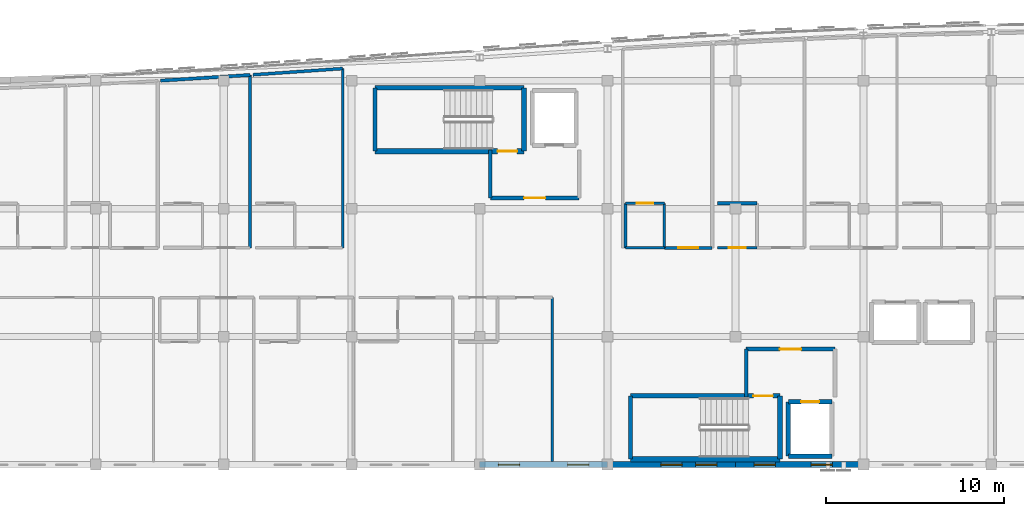
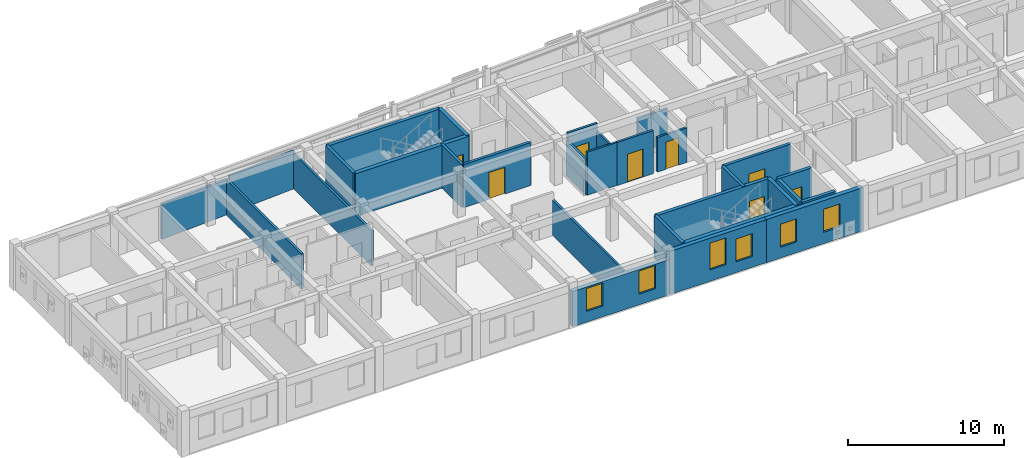
# One storey, part 32 of 41: 30 walls, 8 doors, 6 windows, 14 openings.
"""IFC4 building model written with IfcOpenShell, lengths in metres."""

from ifc_helpers import new_model, si_unit, direction, frame, frame_2d, origin, place, context, subcontext, project, spatial, rectangle, extrude, material, layer, layer_set, type_object, element, fill, save


model = new_model("IFC4")

# Units and contexts
model_context = context("Model", 3, precision=1e-05, world=origin(), true_north=direction((0.0, 1.0)))
body_context = subcontext(model_context, "Body", "Model", "MODEL_VIEW")
ifc_project = project(units=[si_unit("LENGTHUNIT", "METRE"), si_unit("AREAUNIT", "SQUARE_METRE"), si_unit("VOLUMEUNIT", "CUBIC_METRE"), si_unit("PLANEANGLEUNIT", "RADIAN"), si_unit("MASSUNIT", "GRAM", prefix="KILO")], contexts=[model_context])

# Site, building, storey
site_placement = place(None, origin())
site = spatial("IfcSite", under=ifc_project, at=site_placement, CompositionType="ELEMENT")
building_placement = place(site_placement, origin())
building = spatial("IfcBuilding", under=site, at=building_placement, Name="Carrowvane Square Congress Hotel", CompositionType="ELEMENT")
storey_placement = place(building_placement, frame((0.0, 0.0, 37.199951171875)))
storey = spatial("IfcBuildingStorey", under=building, at=storey_placement, Name="L09", CompositionType="ELEMENT", Elevation=37.199951171875)

# Wall, openings, windows
ifc_material_1 = material(Name="Glazed terracotta rainscreen", Category="masonry")
ifc_layer_1 = layer(ifc_material_1, 0.330078125)
ifc_layer_set_1 = layer_set([ifc_layer_1], Name="Glazed terracotta rainscreen")
wall_type_1 = type_object("IfcWallType", Name="WL-EXT-TC330", PredefinedType="STANDARD", material=ifc_layer_set_1)
wall_1_placement = place(storey_placement, frame((83.60009765625, 91.800048828125, 0.0), z_axis=(0.0, 0.0, 1.0), x_axis=(-1.0, 0.0, 0.0)))
wall_1 = element("IfcWall", 1, at=wall_1_placement, inside=storey, type_object=wall_type_1, Name="L09 exterior facade wall 573", PredefinedType="STANDARD", context=body_context, shape_type="SweptSolid", body=[
    extrude(rectangle(XDim=7.2001953125, YDim=0.330078125, at=frame_2d((3.60009765625, 0.0))), origin(), (0.0, 0.0, 1.0), 3.380126953125),
])
opening_1_placement = place(wall_1_placement, frame((1.75, 0.0, 0.89990234375)))
opening_1 = element("IfcOpeningElement", 2, at=opening_1_placement, cuts=wall_1, Name="Opening W-01", PredefinedType="OPENING", context=body_context, shape_type="SweptSolid", body=[
    extrude(rectangle(XDim=1.199951171875, YDim=1.800048828125, at=frame_2d((0.60009765625, 0.89990234375))), frame((0.0, 0.175048828125, 0.0), z_axis=(0.0, -1.0, 0.0), x_axis=(1.0, 0.0, 0.0)), (0.0, 0.0, 1.0), 0.35009765625),
])
opening_2_placement = place(wall_1_placement, frame((4.949951171875, 0.0, 0.85009765625)))
opening_2 = element("IfcOpeningElement", 3, at=opening_2_placement, cuts=wall_1, Name="Opening W-01", PredefinedType="OPENING", context=body_context, shape_type="SweptSolid", body=[
    extrude(rectangle(XDim=1.199951171875, YDim=1.800048828125, at=frame_2d((0.60009765625, 0.89990234375))), frame((0.0, 0.175048828125, 0.0), z_axis=(0.0, -1.0, 0.0), x_axis=(1.0, 0.0, 0.0)), (0.0, 0.0, 1.0), 0.35009765625),
])
ifc_material_2 = material(Name="Double-glazed low-E glass", Category="glass")
window_type_1 = type_object("IfcWindowType", Name="WIN-01", PartitioningType="SINGLE_PANEL", PredefinedType="WINDOW", material=ifc_material_2)
window_1_placement = place(opening_1_placement, origin())
window_1 = element("IfcWindow", 4, at=window_1_placement, inside=storey, type_object=window_type_1, Name="L09 facade window 434", OverallHeight=1.800048828125, OverallWidth=1.199951171875, PartitioningType="SINGLE_PANEL", PredefinedType="WINDOW", context=body_context, shape_type="SweptSolid", body=[
    extrude(rectangle(XDim=1.199951171875, YDim=1.800048828125, at=frame_2d((0.60009765625, 0.89990234375))), frame((0.0, 0.030029296875, 0.0), z_axis=(0.0, -1.0, 0.0), x_axis=(1.0, 0.0, 0.0)), (0.0, 0.0, 1.0), 0.06005859375),
])
fill(opening_1, window_1)
window_2_placement = place(opening_2_placement, origin())
window_2 = element("IfcWindow", 5, at=window_2_placement, inside=storey, type_object=window_type_1, Name="L09 guest bedroom window 435", OverallHeight=1.800048828125, OverallWidth=1.199951171875, PartitioningType="SINGLE_PANEL", PredefinedType="WINDOW", context=body_context, shape_type="SweptSolid", body=[
    extrude(rectangle(XDim=1.199951171875, YDim=1.800048828125, at=frame_2d((0.60009765625, 0.89990234375))), frame((0.0, 0.030029296875, 0.0), z_axis=(0.0, -1.0, 0.0), x_axis=(1.0, 0.0, 0.0)), (0.0, 0.0, 1.0), 0.06005859375),
])
fill(opening_2, window_2)

wall_2_placement = place(storey_placement, frame((76.39990234375, 91.800048828125, 0.0), z_axis=(0.0, 0.0, 1.0), x_axis=(-1.0, 0.0, 0.0)))
wall_2 = element("IfcWall", 6, at=wall_2_placement, inside=storey, type_object=wall_type_1, Name="L09 exterior facade wall 574", PredefinedType="STANDARD", context=body_context, shape_type="SweptSolid", body=[
    extrude(rectangle(XDim=7.199951171875, YDim=0.330078125, at=frame_2d((3.60009765625, 0.0))), origin(), (0.0, 0.0, 1.0), 3.380126953125),
])
opening_3_placement = place(wall_2_placement, frame((3.0, 0.0, 0.89990234375)))
opening_3 = element("IfcOpeningElement", 7, at=opening_3_placement, cuts=wall_2, Name="Opening W-08", PredefinedType="OPENING", context=body_context, shape_type="SweptSolid", body=[
    extrude(rectangle(XDim=1.199951171875, YDim=2.10009765625, at=frame_2d((0.60009765625, 1.050048828125))), frame((0.0, 0.175048828125, 0.0), z_axis=(0.0, -1.0, 0.0), x_axis=(1.0, 0.0, 0.0)), (0.0, 0.0, 1.0), 0.35009765625),
])
opening_4_placement = place(wall_2_placement, frame((1.050048828125, 0.0, 0.85009765625)))
opening_4 = element("IfcOpeningElement", 8, at=opening_4_placement, cuts=wall_2, Name="Opening W-01", PredefinedType="OPENING", context=body_context, shape_type="SweptSolid", body=[
    extrude(rectangle(XDim=1.199951171875, YDim=1.800048828125, at=frame_2d((0.60009765625, 0.89990234375))), frame((0.0, 0.175048828125, 0.0), z_axis=(0.0, -1.0, 0.0), x_axis=(1.0, 0.0, 0.0)), (0.0, 0.0, 1.0), 0.35009765625),
])
window_3_placement = place(opening_4_placement, origin())
window_3 = element("IfcWindow", 9, at=window_3_placement, inside=storey, type_object=window_type_1, Name="L09 guest bedroom window 437", OverallHeight=1.800048828125, OverallWidth=1.199951171875, PartitioningType="SINGLE_PANEL", PredefinedType="WINDOW", context=body_context, shape_type="SweptSolid", body=[
    extrude(rectangle(XDim=1.199951171875, YDim=1.800048828125, at=frame_2d((0.60009765625, 0.89990234375))), frame((0.0, 0.030029296875, 0.0), z_axis=(0.0, -1.0, 0.0), x_axis=(1.0, 0.0, 0.0)), (0.0, 0.0, 1.0), 0.06005859375),
])
fill(opening_4, window_3)
ifc_material_3 = material(Name="Double-glazed low-E glass", Category="glass")
window_type_2 = type_object("IfcWindowType", Name="WIN-08", PartitioningType="SINGLE_PANEL", PredefinedType="WINDOW", material=ifc_material_3)
window_4_placement = place(opening_3_placement, origin())
window_4 = element("IfcWindow", 10, at=window_4_placement, inside=storey, type_object=window_type_2, Name="L09 facade window 436", OverallHeight=2.10009765625, OverallWidth=1.199951171875, PartitioningType="SINGLE_PANEL", PredefinedType="WINDOW", context=body_context, shape_type="SweptSolid", body=[
    extrude(rectangle(XDim=1.199951171875, YDim=2.10009765625, at=frame_2d((0.60009765625, 1.050048828125))), frame((0.0, 0.030029296875, 0.0), z_axis=(0.0, -1.0, 0.0), x_axis=(1.0, 0.0, 0.0)), (0.0, 0.0, 1.0), 0.06005859375),
])
fill(opening_3, window_4)

wall_3_placement = place(storey_placement, frame((69.199951171875, 91.800048828125, 0.0), z_axis=(0.0, 0.0, 1.0), x_axis=(-1.0, 0.0, 0.0)))
wall_3 = element("IfcWall", 11, at=wall_3_placement, inside=storey, type_object=wall_type_1, Name="L09 exterior facade wall 575", PredefinedType="STANDARD", context=body_context, shape_type="SweptSolid", body=[
    extrude(rectangle(XDim=7.199951171875, YDim=0.330078125, at=frame_2d((3.60009765625, 0.0))), origin(), (0.0, 0.0, 1.0), 2.76513671875),
])
opening_5_placement = place(wall_3_placement, frame((1.050048828125, 0.0, 0.85009765625)))
opening_5 = element("IfcOpeningElement", 12, at=opening_5_placement, cuts=wall_3, Name="Opening W-01", PredefinedType="OPENING", context=body_context, shape_type="SweptSolid", body=[
    extrude(rectangle(XDim=1.199951171875, YDim=1.800048828125, at=frame_2d((0.60009765625, 0.89990234375))), frame((0.0, 0.175048828125, 0.0), z_axis=(0.0, -1.0, 0.0), x_axis=(1.0, 0.0, 0.0)), (0.0, 0.0, 1.0), 0.35009765625),
])
opening_6_placement = place(wall_3_placement, frame((4.949951171875, 0.0, 0.85009765625)))
opening_6 = element("IfcOpeningElement", 13, at=opening_6_placement, cuts=wall_3, Name="Opening W-01", PredefinedType="OPENING", context=body_context, shape_type="SweptSolid", body=[
    extrude(rectangle(XDim=1.199951171875, YDim=1.800048828125, at=frame_2d((0.60009765625, 0.89990234375))), frame((0.0, 0.175048828125, 0.0), z_axis=(0.0, -1.0, 0.0), x_axis=(1.0, 0.0, 0.0)), (0.0, 0.0, 1.0), 0.35009765625),
])
window_5_placement = place(opening_5_placement, origin())
window_5 = element("IfcWindow", 14, at=window_5_placement, inside=storey, type_object=window_type_1, Name="L09 guest bedroom window 440", OverallHeight=1.800048828125, OverallWidth=1.199951171875, PartitioningType="SINGLE_PANEL", PredefinedType="WINDOW", context=body_context, shape_type="SweptSolid", body=[
    extrude(rectangle(XDim=1.199951171875, YDim=1.800048828125, at=frame_2d((0.60009765625, 0.89990234375))), frame((0.0, 0.030029296875, 0.0), z_axis=(0.0, -1.0, 0.0), x_axis=(1.0, 0.0, 0.0)), (0.0, 0.0, 1.0), 0.06005859375),
])
fill(opening_5, window_5)
window_6_placement = place(opening_6_placement, origin())
window_6 = element("IfcWindow", 15, at=window_6_placement, inside=storey, type_object=window_type_1, Name="L09 guest bedroom window 441", OverallHeight=1.800048828125, OverallWidth=1.199951171875, PartitioningType="SINGLE_PANEL", PredefinedType="WINDOW", context=body_context, shape_type="SweptSolid", body=[
    extrude(rectangle(XDim=1.199951171875, YDim=1.800048828125, at=frame_2d((0.60009765625, 0.89990234375))), frame((0.0, 0.030029296875, 0.0), z_axis=(0.0, -1.0, 0.0), x_axis=(1.0, 0.0, 0.0)), (0.0, 0.0, 1.0), 0.06005859375),
])
fill(opening_6, window_6)

# Walls
ifc_material_4 = material(Name="Acoustic gypsum board", Category="gypsum")
ifc_layer_2 = layer(ifc_material_4, 0.155029296875)
ifc_layer_set_2 = layer_set([ifc_layer_2], Name="Acoustic gypsum board")
wall_type_2 = type_object("IfcWallType", Name="WL-FIR-155", PredefinedType="PARTITIONING", material=ifc_layer_set_2)
wall_4_placement = place(storey_placement, frame((66.090087890625, 101.199951171875, 0.0), z_axis=(0.0, 0.0, 1.0), x_axis=(0.0, -1.0, 0.0)))
element("IfcWall", 16, at=wall_4_placement, inside=storey, type_object=wall_type_2, Name="L09 Hotel Suite 0904 partition", PredefinedType="PARTITIONING", context=body_context, shape_type="SweptSolid", body=[
    extrude(rectangle(XDim=9.239990234375, YDim=0.155029296875, at=frame_2d((4.6201171875, 0.0))), origin(), (0.0, 0.0, 1.0), 2.76513671875),
])
wall_5_placement = place(storey_placement, frame((54.2900390625, 114.085205078125, 0.0), z_axis=(0.0, 0.0, 1.0), x_axis=(0.0, -1.0, 0.0)))
element("IfcWall", 17, at=wall_5_placement, inside=storey, type_object=wall_type_2, Name="L09 Parkview Guest Bedroom 0910 partition", PredefinedType="PARTITIONING", context=body_context, shape_type="SweptSolid", body=[
    extrude(rectangle(XDim=10.085205078125, YDim=0.155029296875, at=frame_2d((5.04248046875, 0.0))), origin(), (0.0, 0.0, 1.0), 2.76513671875),
])

# Wall, opening, door
wall_6_placement = place(storey_placement, frame((70.199951171875, 106.5, 0.0), z_axis=(0.0, 0.0, 1.0), x_axis=(1.0, 0.0, 0.0)))
wall_6 = element("IfcWall", 18, at=wall_6_placement, inside=storey, type_object=wall_type_2, Name="L09 En-suite Bathroom 0911 partition", PredefinedType="PARTITIONING", context=body_context, shape_type="SweptSolid", body=[
    extrude(rectangle(XDim=2.199951171875, YDim=0.155029296875, at=frame_2d((1.10009765625, 0.0))), origin(), (0.0, 0.0, 1.0), 3.380126953125),
])
opening_7_placement = place(wall_6_placement, frame((0.639892578125, 0.0, 0.0)))
opening_7 = element("IfcOpeningElement", 19, at=opening_7_placement, cuts=wall_6, Name="Opening ID-03", PredefinedType="OPENING", context=body_context, shape_type="SweptSolid", body=[
    extrude(rectangle(XDim=0.919921875, YDim=2.10009765625, at=frame_2d((0.4599609375, 1.050048828125))), frame((0.0, 0.08740234375, 0.0), z_axis=(0.0, -1.0, 0.0), x_axis=(1.0, 0.0, 0.0)), (0.0, 0.0, 1.0), 0.175048828125),
])
ifc_material_5 = material(Name="European oak timber", Category="wood")
door_type_1 = type_object("IfcDoorType", Name="DR-INT-0920x2100", OperationType="NOTDEFINED", PredefinedType="DOOR", material=ifc_material_5)
door_1_placement = place(opening_7_placement, origin())
door_1 = element("IfcDoor", 20, at=door_1_placement, inside=storey, type_object=door_type_1, Name="L09 En-suite Bathroom 0911 door", OperationType="SINGLE_SWING_LEFT", OverallHeight=2.10009765625, OverallWidth=0.919921875, PredefinedType="DOOR", context=body_context, shape_type="SweptSolid", body=[
    extrude(rectangle(XDim=0.919921875, YDim=2.10009765625, at=frame_2d((0.4599609375, 1.050048828125))), frame((0.0, 0.02490234375, 0.0), z_axis=(0.0, -1.0, 0.0), x_axis=(1.0, 0.0, 0.0)), (0.0, 0.0, 1.0), 0.050048828125),
])
fill(opening_7, door_1)

wall_7_placement = place(storey_placement, frame((77.60009765625, 104.0, 0.0), z_axis=(0.0, 0.0, 1.0), x_axis=(-1.0, 0.0, 0.0)))
wall_7 = element("IfcWall", 21, at=wall_7_placement, inside=storey, type_object=wall_type_2, Name="L09 En-suite Bathroom 0912 partition", PredefinedType="PARTITIONING", context=body_context, shape_type="SweptSolid", body=[
    extrude(rectangle(XDim=2.2001953125, YDim=0.155029296875, at=frame_2d((1.10009765625, 0.0))), origin(), (0.0, 0.0, 1.0), 2.715087890625),
])
opening_8_placement = place(wall_7_placement, frame((0.6201171875, 0.0, 0.0)))
opening_8 = element("IfcOpeningElement", 22, at=opening_8_placement, cuts=wall_7, Name="Opening ID-05", PredefinedType="OPENING", context=body_context, shape_type="SweptSolid", body=[
    extrude(rectangle(XDim=0.9599609375, YDim=2.139892578125, at=frame_2d((0.47998046875, 1.06982421875))), frame((0.0, 0.08740234375, 0.0), z_axis=(0.0, -1.0, 0.0), x_axis=(1.0, 0.0, 0.0)), (0.0, 0.0, 1.0), 0.175048828125),
])
ifc_material_6 = material(Name="European oak timber", Category="wood")
door_type_2 = type_object("IfcDoorType", Name="DR-INT-0960x2140", OperationType="NOTDEFINED", PredefinedType="DOOR", material=ifc_material_6)
door_2_placement = place(opening_8_placement, origin())
door_2 = element("IfcDoor", 23, at=door_2_placement, inside=storey, type_object=door_type_2, Name="L09 En-suite Bathroom 0912 door", OperationType="SINGLE_SWING_LEFT", OverallHeight=2.139892578125, OverallWidth=0.9599609375, PredefinedType="DOOR", context=body_context, shape_type="SweptSolid", body=[
    extrude(rectangle(XDim=0.9599609375, YDim=2.139892578125, at=frame_2d((0.47998046875, 1.06982421875))), frame((0.0, 0.02490234375, 0.0), z_axis=(0.0, -1.0, 0.0), x_axis=(1.0, 0.0, 0.0)), (0.0, 0.0, 1.0), 0.050048828125),
])
fill(opening_8, door_2)

# Walls
ifc_material_7 = material(Name="Acoustic gypsum board", Category="gypsum")
ifc_layer_3 = layer(ifc_material_7, 0.169921875)
ifc_layer_set_3 = layer_set([ifc_layer_3], Name="Acoustic gypsum board")
wall_type_3 = type_object("IfcWallType", Name="WL-FIR-170", PredefinedType="PARTITIONING", material=ifc_layer_set_3)
wall_8_placement = place(storey_placement, frame((49.090087890625, 113.724853515625, 0.0), z_axis=(0.0, 0.0, 1.0), x_axis=(0.0, -1.0, 0.0)))
element("IfcWall", 24, at=wall_8_placement, inside=storey, type_object=wall_type_3, Name="L09 Parkview Guest Bedroom 0909 partition", PredefinedType="PARTITIONING", context=body_context, shape_type="SweptSolid", body=[
    extrude(rectangle(XDim=9.724853515625, YDim=0.169921875, at=frame_2d((4.8623046875, 0.0))), origin(), (0.0, 0.0, 1.0), 2.76513671875),
])
wall_9_placement = place(storey_placement, frame((49.25, 113.7353515625, 0.0), z_axis=(0.0, 0.0, 1.0), x_axis=(0.997599461477, 0.069248209082, 0.0)))
element("IfcWall", 25, at=wall_9_placement, inside=storey, type_object=wall_type_3, Name="L09 Parkview Guest Bedroom 0910 partition", PredefinedType="PARTITIONING", context=body_context, shape_type="SweptSolid", body=[
    extrude(rectangle(XDim=5.05224609375, YDim=0.169921875, at=frame_2d((2.526123046875, 0.0))), origin(), (0.0, 0.0, 1.0), 2.95556640625),
])
wall_10_placement = place(storey_placement, frame((70.199951171875, 104.0, 0.0), z_axis=(0.0, 0.0, 1.0), x_axis=(0.0, 1.0, 0.0)))
element("IfcWall", 26, at=wall_10_placement, inside=storey, type_object=wall_type_3, Name="L09 En-suite Bathroom 0911 partition", PredefinedType="PARTITIONING", context=body_context, shape_type="SweptSolid", body=[
    extrude(rectangle(XDim=2.5, YDim=0.169921875, at=frame_2d((1.25, 0.0))), origin(), (0.0, 0.0, 1.0), 2.76513671875),
])

# Wall, opening, door
wall_11_placement = place(storey_placement, frame((75.090087890625, 104.0, 0.0), z_axis=(0.0, 0.0, 1.0), x_axis=(-1.0, 0.0, 0.0)))
wall_11 = element("IfcWall", 27, at=wall_11_placement, inside=storey, type_object=wall_type_3, Name="L09 Parkview Guest Bedroom 0911 partition", PredefinedType="PARTITIONING", context=body_context, shape_type="SweptSolid", body=[
    extrude(rectangle(XDim=2.68017578125, YDim=0.169921875, at=frame_2d((1.340087890625, 0.0))), origin(), (0.0, 0.0, 1.0), 3.380126953125),
])
opening_9_placement = place(wall_11_placement, frame((0.780029296875, 0.0, 0.0)))
opening_9 = element("IfcOpeningElement", 28, at=opening_9_placement, cuts=wall_11, Name="Opening FD-10", PredefinedType="OPENING", context=body_context, shape_type="SweptSolid", body=[
    extrude(rectangle(XDim=1.1201171875, YDim=2.199951171875, at=frame_2d((0.56005859375, 1.10009765625))), frame((0.0, 0.094970703125, 0.0), z_axis=(0.0, -1.0, 0.0), x_axis=(1.0, 0.0, 0.0)), (0.0, 0.0, 1.0), 0.18994140625),
])
ifc_material_8 = material(Name="European oak timber", Category="wood")
door_type_3 = type_object("IfcDoorType", Name="DR-FD30-1120x2200", OperationType="NOTDEFINED", PredefinedType="DOOR", material=ifc_material_8)
door_3_placement = place(opening_9_placement, origin())
door_3 = element("IfcDoor", 29, at=door_3_placement, inside=storey, type_object=door_type_3, Name="L09 Parkview Guest Bedroom 0911 entrance door", OperationType="SINGLE_SWING_RIGHT", OverallHeight=2.199951171875, OverallWidth=1.1201171875, PredefinedType="DOOR", context=body_context, shape_type="SweptSolid", body=[
    extrude(rectangle(XDim=1.1201171875, YDim=2.199951171875, at=frame_2d((0.56005859375, 1.10009765625))), frame((0.0, 0.02490234375, 0.0), z_axis=(0.0, -1.0, 0.0), x_axis=(1.0, 0.0, 0.0)), (0.0, 0.0, 1.0), 0.050048828125),
])
fill(opening_9, door_3)

# Walls
ifc_material_9 = material(Name="Acoustic gypsum board", Category="gypsum")
ifc_layer_4 = layer(ifc_material_9, 0.18505859375)
ifc_layer_set_4 = layer_set([ifc_layer_4], Name="Acoustic gypsum board")
wall_type_4 = type_object("IfcWallType", Name="WL-FIR-185", PredefinedType="PARTITIONING", material=ifc_layer_set_4)
wall_12_placement = place(storey_placement, frame((44.050048828125, 113.4052734375, 0.0), z_axis=(0.0, 0.0, 1.0), x_axis=(0.997995738389, 0.063281167485, 0.0)))
element("IfcWall", 30, at=wall_12_placement, inside=storey, type_object=wall_type_4, Name="L09 Parkview Guest Bedroom 0909 partition", PredefinedType="PARTITIONING", context=body_context, shape_type="SweptSolid", body=[
    extrude(rectangle(XDim=5.050048828125, YDim=0.18505859375, at=frame_2d((2.52490234375, 0.0))), origin(), (0.0, 0.0, 1.0), 2.76513671875),
])
wall_13_placement = place(storey_placement, frame((75.39990234375, 106.5, 0.0), z_axis=(0.0, 0.0, 1.0), x_axis=(1.0, 0.0, 0.0)))
element("IfcWall", 31, at=wall_13_placement, inside=storey, type_object=wall_type_4, Name="L09 En-suite Bathroom 0912 partition", PredefinedType="PARTITIONING", context=body_context, shape_type="SweptSolid", body=[
    extrude(rectangle(XDim=2.2001953125, YDim=0.18505859375, at=frame_2d((1.10009765625, 0.0))), origin(), (0.0, 0.0, 1.0), 2.715087890625),
])

# Wall, opening, door
ifc_material_10 = material(Name="Acoustic gypsum board", Category="gypsum")
ifc_layer_5 = layer(ifc_material_10, 0.205078125)
ifc_layer_set_5 = layer_set([ifc_layer_5], Name="Acoustic gypsum board")
wall_type_5 = type_object("IfcWallType", Name="WL-FIR-205", PredefinedType="PARTITIONING", material=ifc_layer_set_5)
wall_14_placement = place(storey_placement, frame((62.60009765625, 106.800048828125, 0.0), z_axis=(0.0, 0.0, 1.0), x_axis=(1.0, 0.0, 0.0)))
wall_14 = element("IfcWall", 32, at=wall_14_placement, inside=storey, type_object=wall_type_5, Name="L09 Firefighting Lobby C1 wall south", PredefinedType="PARTITIONING", context=body_context, shape_type="SweptSolid", body=[
    extrude(rectangle(XDim=5.0, YDim=0.205078125, at=frame_2d((2.5, 0.0))), origin(), (0.0, 0.0, 1.0), 3.380126953125),
])
opening_10_placement = place(wall_14_placement, frame((1.89990234375, 0.0, 0.0)))
opening_10 = element("IfcOpeningElement", 33, at=opening_10_placement, cuts=wall_14, Name="Opening FD-02", PredefinedType="OPENING", context=body_context, shape_type="SweptSolid", body=[
    extrude(rectangle(XDim=1.199951171875, YDim=2.10009765625, at=frame_2d((0.60009765625, 1.050048828125))), frame((0.0, 0.112548828125, 0.0), z_axis=(0.0, -1.0, 0.0), x_axis=(1.0, 0.0, 0.0)), (0.0, 0.0, 1.0), 0.22509765625),
])
ifc_material_11 = material(Name="European oak timber", Category="wood")
door_type_4 = type_object("IfcDoorType", Name="DR-FD60-1200x2100", OperationType="NOTDEFINED", PredefinedType="DOOR", material=ifc_material_11)
door_4_placement = place(opening_10_placement, origin())
door_4 = element("IfcDoor", 34, at=door_4_placement, inside=storey, type_object=door_type_4, Name="L09 Firefighting Lobby C1 entrance door", OperationType="SINGLE_SWING_RIGHT", OverallHeight=2.10009765625, OverallWidth=1.199951171875, PredefinedType="DOOR", context=body_context, shape_type="SweptSolid", body=[
    extrude(rectangle(XDim=1.199951171875, YDim=2.10009765625, at=frame_2d((0.60009765625, 1.050048828125))), frame((0.0, 0.02490234375, 0.0), z_axis=(0.0, -1.0, 0.0), x_axis=(1.0, 0.0, 0.0)), (0.0, 0.0, 1.0), 0.050048828125),
])
fill(opening_10, door_4)

# Wall
wall_15_placement = place(storey_placement, frame((62.60009765625, 109.5, 0.0), z_axis=(0.0, 0.0, 1.0), x_axis=(0.0, -1.0, 0.0)))
element("IfcWall", 35, at=wall_15_placement, inside=storey, type_object=wall_type_5, Name="L09 Firefighting Lobby C1 wall west", PredefinedType="PARTITIONING", context=body_context, shape_type="SweptSolid", body=[
    extrude(rectangle(XDim=2.699951171875, YDim=0.205078125, at=frame_2d((1.35009765625, 0.0))), origin(), (0.0, 0.0, 1.0), 3.380126953125),
])

# Wall, opening, door
wall_16_placement = place(storey_placement, frame((82.0, 98.300048828125, 0.0), z_axis=(0.0, 0.0, 1.0), x_axis=(-1.0, 0.0, 0.0)))
wall_16 = element("IfcWall", 36, at=wall_16_placement, inside=storey, type_object=wall_type_5, Name="L09 Firefighting Lobby C2 wall north", PredefinedType="PARTITIONING", context=body_context, shape_type="SweptSolid", body=[
    extrude(rectangle(XDim=5.0, YDim=0.205078125, at=frame_2d((2.5, 0.0))), origin(), (0.0, 0.0, 1.0), 3.380126953125),
])
opening_11_placement = place(wall_16_placement, frame((1.89990234375, 0.0, 0.0)))
opening_11 = element("IfcOpeningElement", 37, at=opening_11_placement, cuts=wall_16, Name="Opening FD-02", PredefinedType="OPENING", context=body_context, shape_type="SweptSolid", body=[
    extrude(rectangle(XDim=1.199951171875, YDim=2.10009765625, at=frame_2d((0.60009765625, 1.050048828125))), frame((0.0, 0.112548828125, 0.0), z_axis=(0.0, -1.0, 0.0), x_axis=(1.0, 0.0, 0.0)), (0.0, 0.0, 1.0), 0.22509765625),
])
door_5_placement = place(opening_11_placement, origin())
door_5 = element("IfcDoor", 38, at=door_5_placement, inside=storey, type_object=door_type_4, Name="L09 Firefighting Lobby C2 entrance door", OperationType="SINGLE_SWING_LEFT", OverallHeight=2.10009765625, OverallWidth=1.199951171875, PredefinedType="DOOR", context=body_context, shape_type="SweptSolid", body=[
    extrude(rectangle(XDim=1.199951171875, YDim=2.10009765625, at=frame_2d((0.60009765625, 1.050048828125))), frame((0.0, 0.02490234375, 0.0), z_axis=(0.0, -1.0, 0.0), x_axis=(1.0, 0.0, 0.0)), (0.0, 0.0, 1.0), 0.050048828125),
])
fill(opening_11, door_5)

# Walls
wall_17_placement = place(storey_placement, frame((77.0, 98.300048828125, 0.0), z_axis=(0.0, 0.0, 1.0), x_axis=(0.0, -1.0, 0.0)))
element("IfcWall", 39, at=wall_17_placement, inside=storey, type_object=wall_type_5, Name="L09 Firefighting Lobby C2 wall west", PredefinedType="PARTITIONING", context=body_context, shape_type="SweptSolid", body=[
    extrude(rectangle(XDim=2.699951171875, YDim=0.205078125, at=frame_2d((1.35009765625, 0.0))), origin(), (0.0, 0.0, 1.0), 3.380126953125),
])
ifc_material_12 = material(Name="Acoustic gypsum board", Category="gypsum")
ifc_layer_6 = layer(ifc_material_12, 0.137939453125)
ifc_layer_set_6 = layer_set([ifc_layer_6], Name="Acoustic gypsum board")
wall_type_6 = type_object("IfcWallType", Name="WL-PRT-138", PredefinedType="PARTITIONING", material=ifc_layer_set_6)
wall_18_placement = place(storey_placement, frame((72.39990234375, 104.0, 0.0), z_axis=(0.0, 0.0, 1.0), x_axis=(-1.0, 0.0, 0.0)))
element("IfcWall", 40, at=wall_18_placement, inside=storey, type_object=wall_type_6, Name="L09 En-suite Bathroom 0911 partition", PredefinedType="PARTITIONING", context=body_context, shape_type="SweptSolid", body=[
    extrude(rectangle(XDim=2.199951171875, YDim=0.137939453125, at=frame_2d((1.10009765625, 0.0))), origin(), (0.0, 0.0, 1.0), 3.380126953125),
])
ifc_material_13 = material(Name="Acoustic gypsum board", Category="gypsum")
ifc_layer_7 = layer(ifc_material_13, 0.14794921875)
ifc_layer_set_7 = layer_set([ifc_layer_7], Name="Acoustic gypsum board")
wall_type_7 = type_object("IfcWallType", Name="WL-PRT-148", PredefinedType="PARTITIONING", material=ifc_layer_set_7)
wall_19_placement = place(storey_placement, frame((72.39990234375, 106.5, 0.0), z_axis=(0.0, 0.0, 1.0), x_axis=(0.0, -1.0, 0.0)))
element("IfcWall", 41, at=wall_19_placement, inside=storey, type_object=wall_type_7, Name="L09 En-suite Bathroom 0911 partition", PredefinedType="PARTITIONING", context=body_context, shape_type="SweptSolid", body=[
    extrude(rectangle(XDim=2.5, YDim=0.14794921875, at=frame_2d((1.25, 0.0))), origin(), (0.0, 0.0, 1.0), 2.76513671875),
])
ifc_material_14 = material(Name="Concrete C40/50", Category="concrete")
ifc_layer_8 = layer(ifc_material_14, 0.22509765625)
ifc_layer_set_8 = layer_set([ifc_layer_8], Name="Concrete C40/50")
wall_type_8 = type_object("IfcWallType", Name="WL-SHR-225", PredefinedType="SHEAR", material=ifc_layer_set_8)
wall_20_placement = place(storey_placement, frame((56.10009765625, 113.0, 0.0), z_axis=(0.0, 0.0, 1.0), x_axis=(0.0, -1.0, 0.0)))
element("IfcWall", 42, at=wall_20_placement, inside=storey, type_object=wall_type_8, Name="L09 ST1 core wall west", PredefinedType="SHEAR", context=body_context, shape_type="SweptSolid", body=[
    extrude(rectangle(XDim=3.56005859375, YDim=0.22509765625, at=frame_2d((1.780029296875, 0.0))), origin(), (0.0, 0.0, 1.0), 3.380126953125),
])
wall_21_placement = place(storey_placement, frame((70.5, 95.659912109375, 0.0), z_axis=(0.0, 0.0, 1.0), x_axis=(0.0, -1.0, 0.0)))
element("IfcWall", 43, at=wall_21_placement, inside=storey, type_object=wall_type_8, Name="L09 ST2 core wall west", PredefinedType="SHEAR", context=body_context, shape_type="SweptSolid", body=[
    extrude(rectangle(XDim=3.559814453125, YDim=0.22509765625, at=frame_2d((1.77978515625, 0.0))), origin(), (0.0, 0.0, 1.0), 3.380126953125),
])
ifc_material_15 = material(Name="Concrete C40/50", Category="concrete")
ifc_layer_9 = layer(ifc_material_15, 0.25)
ifc_layer_set_9 = layer_set([ifc_layer_9], Name="Concrete C40/50")
wall_type_9 = type_object("IfcWallType", Name="WL-SHR-250", PredefinedType="SHEAR", material=ifc_layer_set_9)
wall_22_placement = place(storey_placement, frame((64.5, 113.0, 0.0), z_axis=(0.0, 0.0, 1.0), x_axis=(-1.0, 0.0, 0.0)))
element("IfcWall", 44, at=wall_22_placement, inside=storey, type_object=wall_type_9, Name="L09 ST1 core wall north", PredefinedType="SHEAR", context=body_context, shape_type="SweptSolid", body=[
    extrude(rectangle(XDim=8.39990234375, YDim=0.25, at=frame_2d((4.199951171875, 0.0))), origin(), (0.0, 0.0, 1.0), 3.380126953125),
])

# Wall, opening, door
wall_23_placement = place(storey_placement, frame((78.89990234375, 95.659912109375, 0.0), z_axis=(0.0, 0.0, 1.0), x_axis=(-1.0, 0.0, 0.0)))
wall_23 = element("IfcWall", 45, at=wall_23_placement, inside=storey, type_object=wall_type_9, Name="L09 ST2 core wall north", PredefinedType="SHEAR", context=body_context, shape_type="SweptSolid", body=[
    extrude(rectangle(XDim=8.39990234375, YDim=0.25, at=frame_2d((4.199951171875, 0.0))), origin(), (0.0, 0.0, 1.0), 3.380126953125),
])
opening_12_placement = place(wall_23_placement, frame((0.389892578125, 0.0, 0.0)))
opening_12 = element("IfcOpeningElement", 46, at=opening_12_placement, cuts=wall_23, Name="Opening FD-01", PredefinedType="OPENING", context=body_context, shape_type="SweptSolid", body=[
    extrude(rectangle(XDim=1.10009765625, YDim=2.10009765625, at=frame_2d((0.550048828125, 1.050048828125))), frame((0.0, 0.135009765625, 0.0), z_axis=(0.0, -1.0, 0.0), x_axis=(1.0, 0.0, 0.0)), (0.0, 0.0, 1.0), 0.27001953125),
])
ifc_material_16 = material(Name="European oak timber", Category="wood")
door_type_5 = type_object("IfcDoorType", Name="DR-FD60-1100x2100", OperationType="NOTDEFINED", PredefinedType="DOOR", material=ifc_material_16)
door_6_placement = place(opening_12_placement, origin())
door_6 = element("IfcDoor", 47, at=door_6_placement, inside=storey, type_object=door_type_5, Name="L09 ST2 fire door", OperationType="SINGLE_SWING_RIGHT", OverallHeight=2.10009765625, OverallWidth=1.10009765625, PredefinedType="DOOR", context=body_context, shape_type="SweptSolid", body=[
    extrude(rectangle(XDim=1.10009765625, YDim=2.10009765625, at=frame_2d((0.550048828125, 1.050048828125))), frame((0.0, 0.02490234375, 0.0), z_axis=(0.0, -1.0, 0.0), x_axis=(1.0, 0.0, 0.0)), (0.0, 0.0, 1.0), 0.050048828125),
])
fill(opening_12, door_6)

# Wall
wall_24_placement = place(storey_placement, frame((79.375, 92.27490234375, 0.0), z_axis=(0.0, 0.0, 1.0), x_axis=(1.0, 0.0, 0.0)))
element("IfcWall", 48, at=wall_24_placement, inside=storey, type_object=wall_type_9, Name="L09 FFL-2 shaft wall south", PredefinedType="SHEAR", context=body_context, shape_type="SweptSolid", body=[
    extrude(rectangle(XDim=2.449951171875, YDim=0.25, at=frame_2d((1.22509765625, 0.0))), origin(), (0.0, 0.0, 1.0), 3.380126953125),
])

# Wall, opening, door
wall_25_placement = place(storey_placement, frame((81.824951171875, 95.324951171875, 0.0), z_axis=(0.0, 0.0, 1.0), x_axis=(-1.0, 0.0, 0.0)))
wall_25 = element("IfcWall", 49, at=wall_25_placement, inside=storey, type_object=wall_type_9, Name="L09 FFL-2 shaft wall north", PredefinedType="SHEAR", context=body_context, shape_type="SweptSolid", body=[
    extrude(rectangle(XDim=2.449951171875, YDim=0.25, at=frame_2d((1.22509765625, 0.0))), origin(), (0.0, 0.0, 1.0), 3.380126953125),
])
opening_13_placement = place(wall_25_placement, frame((0.72509765625, 0.0, 0.0)))
opening_13 = element("IfcOpeningElement", 50, at=opening_13_placement, cuts=wall_25, Name="Opening LD-FFL-2", PredefinedType="OPENING", context=body_context, shape_type="SweptSolid", body=[
    extrude(rectangle(XDim=1.0, YDim=2.14990234375, at=frame_2d((0.5, 1.074951171875))), frame((0.0, 0.135009765625, 0.0), z_axis=(0.0, -1.0, 0.0), x_axis=(1.0, 0.0, 0.0)), (0.0, 0.0, 1.0), 0.27001953125),
])
ifc_material_17 = material(Name="Stainless steel 316", Category="steel")
door_type_6 = type_object("IfcDoorType", Name="DR-LD-1000x2150", OperationType="DOUBLE_DOOR_SLIDING", PredefinedType="DOOR", material=ifc_material_17)
door_7_placement = place(opening_13_placement, origin())
door_7 = element("IfcDoor", 51, at=door_7_placement, inside=storey, type_object=door_type_6, Name="L09 FFL-2 sliding lift landing door", OperationType="DOUBLE_DOOR_SLIDING", OverallHeight=2.14990234375, OverallWidth=1.0, PredefinedType="DOOR", context=body_context, shape_type="SweptSolid", body=[
    extrude(rectangle(XDim=1.0, YDim=2.14990234375, at=frame_2d((0.5, 1.074951171875))), frame((0.0, 0.02490234375, 0.0), z_axis=(0.0, -1.0, 0.0), x_axis=(1.0, 0.0, 0.0)), (0.0, 0.0, 1.0), 0.050048828125),
])
fill(opening_13, door_7)

# Walls
wall_26_placement = place(storey_placement, frame((79.375, 95.324951171875, 0.0), z_axis=(0.0, 0.0, 1.0), x_axis=(0.0, -1.0, 0.0)))
element("IfcWall", 52, at=wall_26_placement, inside=storey, type_object=wall_type_9, Name="L09 FFL-2 shaft wall west", PredefinedType="SHEAR", context=body_context, shape_type="SweptSolid", body=[
    extrude(rectangle(XDim=3.050048828125, YDim=0.25, at=frame_2d((1.52490234375, 0.0))), origin(), (0.0, 0.0, 1.0), 3.380126953125),
])
ifc_material_18 = material(Name="Concrete C40/50", Category="concrete")
ifc_layer_10 = layer(ifc_material_18, 0.27490234375)
ifc_layer_set_10 = layer_set([ifc_layer_10], Name="Concrete C40/50")
wall_type_10 = type_object("IfcWallType", Name="WL-SHR-275", PredefinedType="SHEAR", material=ifc_layer_set_10)
wall_27_placement = place(storey_placement, frame((64.5, 109.43994140625, 0.0), z_axis=(0.0, 0.0, 1.0), x_axis=(0.0, 1.0, 0.0)))
element("IfcWall", 53, at=wall_27_placement, inside=storey, type_object=wall_type_10, Name="L09 ST1 core wall east", PredefinedType="SHEAR", context=body_context, shape_type="SweptSolid", body=[
    extrude(rectangle(XDim=3.56005859375, YDim=0.27490234375, at=frame_2d((1.780029296875, 0.0))), origin(), (0.0, 0.0, 1.0), 3.380126953125),
])
wall_28_placement = place(storey_placement, frame((78.89990234375, 92.10009765625, 0.0), z_axis=(0.0, 0.0, 1.0), x_axis=(0.0, 1.0, 0.0)))
element("IfcWall", 54, at=wall_28_placement, inside=storey, type_object=wall_type_10, Name="L09 ST2 core wall east", PredefinedType="SHEAR", context=body_context, shape_type="SweptSolid", body=[
    extrude(rectangle(XDim=3.559814453125, YDim=0.27490234375, at=frame_2d((1.77978515625, 0.0))), origin(), (0.0, 0.0, 1.0), 3.380126953125),
])

# Wall, opening, door
ifc_material_19 = material(Name="Concrete C40/50", Category="concrete")
ifc_layer_11 = layer(ifc_material_19, 0.300048828125)
ifc_layer_set_11 = layer_set([ifc_layer_11], Name="Concrete C40/50")
wall_type_11 = type_object("IfcWallType", Name="WL-SHR-300", PredefinedType="SHEAR", material=ifc_layer_set_11)
wall_29_placement = place(storey_placement, frame((56.10009765625, 109.43994140625, 0.0), z_axis=(0.0, 0.0, 1.0), x_axis=(1.0, 0.0, 0.0)))
wall_29 = element("IfcWall", 55, at=wall_29_placement, inside=storey, type_object=wall_type_11, Name="L09 ST1 core wall south", PredefinedType="SHEAR", context=body_context, shape_type="SweptSolid", body=[
    extrude(rectangle(XDim=8.39990234375, YDim=0.300048828125, at=frame_2d((4.199951171875, 0.0))), origin(), (0.0, 0.0, 1.0), 3.380126953125),
])
opening_14_placement = place(wall_29_placement, frame((6.909912109375, 0.0, 0.0)))
opening_14 = element("IfcOpeningElement", 56, at=opening_14_placement, cuts=wall_29, Name="Opening FD-01", PredefinedType="OPENING", context=body_context, shape_type="SweptSolid", body=[
    extrude(rectangle(XDim=1.10009765625, YDim=2.10009765625, at=frame_2d((0.550048828125, 1.050048828125))), frame((0.0, 0.159912109375, 0.0), z_axis=(0.0, -1.0, 0.0), x_axis=(1.0, 0.0, 0.0)), (0.0, 0.0, 1.0), 0.320068359375),
])
door_8_placement = place(opening_14_placement, origin())
door_8 = element("IfcDoor", 57, at=door_8_placement, inside=storey, type_object=door_type_5, Name="L09 ST1 fire door", OperationType="SINGLE_SWING_LEFT", OverallHeight=2.10009765625, OverallWidth=1.10009765625, PredefinedType="DOOR", context=body_context, shape_type="SweptSolid", body=[
    extrude(rectangle(XDim=1.10009765625, YDim=2.10009765625, at=frame_2d((0.550048828125, 1.050048828125))), frame((0.0, 0.02490234375, 0.0), z_axis=(0.0, -1.0, 0.0), x_axis=(1.0, 0.0, 0.0)), (0.0, 0.0, 1.0), 0.050048828125),
])
fill(opening_14, door_8)

# Wall
wall_30_placement = place(storey_placement, frame((70.5, 92.10009765625, 0.0), z_axis=(0.0, 0.0, 1.0), x_axis=(1.0, 0.0, 0.0)))
element("IfcWall", 58, at=wall_30_placement, inside=storey, type_object=wall_type_11, Name="L09 ST2 core wall south", PredefinedType="SHEAR", context=body_context, shape_type="SweptSolid", body=[
    extrude(rectangle(XDim=8.39990234375, YDim=0.300048828125, at=frame_2d((4.199951171875, 0.0))), origin(), (0.0, 0.0, 1.0), 3.380126953125),
])

save(model, "model.ifc")
